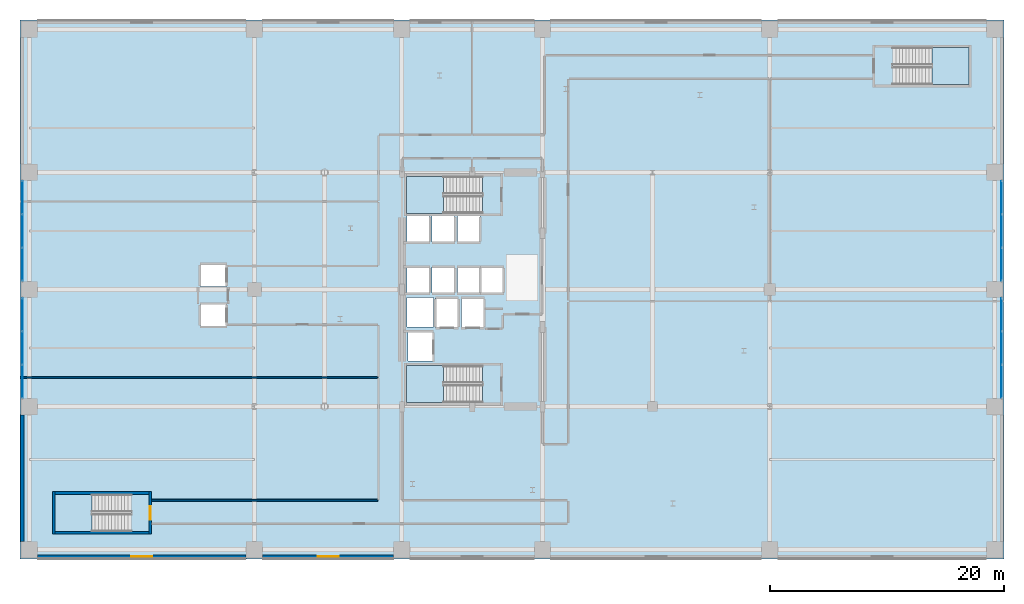
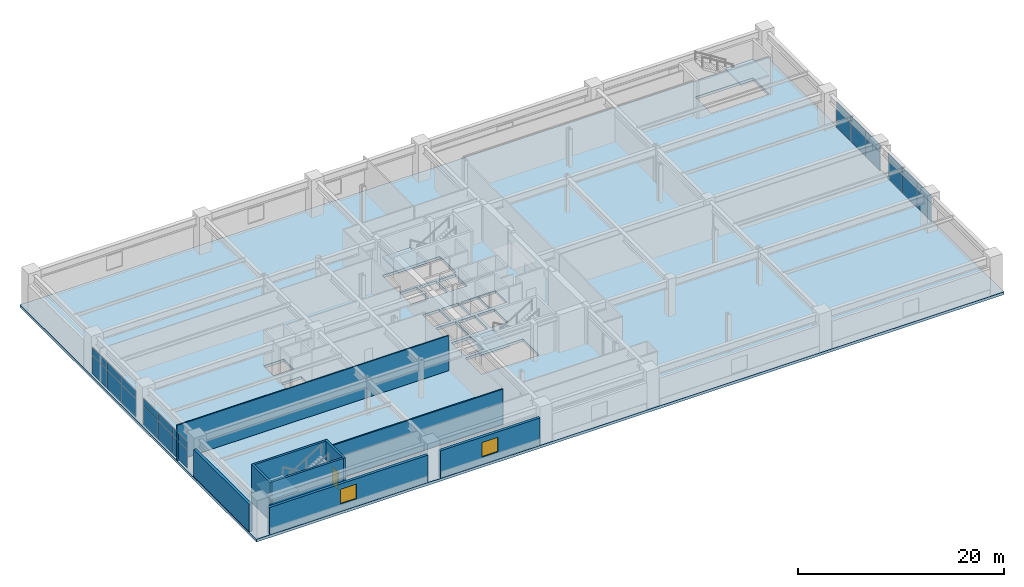
# One storey, part 19 of 28: 24 plates, 9 walls, 5 slabs, 2 windows, 1 door, 3 openings, 8 elements without a shape of their own.
"""IFC4 building model written with IfcOpenShell, lengths in metres."""

from ifc_helpers import new_model, si_unit, direction, frame, frame_2d, origin, origin_2d, place, context, subcontext, project, spatial, polyline, rectangle, outline, extrude, material, layer, layer_set, type_object, element, fill, aggregate, save


model = new_model("IFC4")

# Units and contexts
model_context = context("Model", 3, precision=1e-05, world=origin(), true_north=direction((0.0, 1.0)))
body_context = subcontext(model_context, "Body", "Model", "MODEL_VIEW")
ifc_project = project(units=[si_unit("LENGTHUNIT", "METRE"), si_unit("AREAUNIT", "SQUARE_METRE"), si_unit("VOLUMEUNIT", "CUBIC_METRE"), si_unit("PLANEANGLEUNIT", "RADIAN"), si_unit("MASSUNIT", "GRAM", prefix="KILO")], contexts=[model_context])

# Site, building, storey
site_placement = place(None, origin())
site = spatial("IfcSite", under=ifc_project, at=site_placement, CompositionType="ELEMENT")
building_placement = place(site_placement, origin())
building = spatial("IfcBuilding", under=site, at=building_placement, Name="Soratama Intermodal Tower", CompositionType="ELEMENT")
storey_placement = place(building_placement, frame((0.0, 0.0, 20.699951171875)))
storey = spatial("IfcBuildingStorey", under=building, at=storey_placement, Name="L04", CompositionType="ELEMENT", Elevation=20.699951171875)

# Curtain wall, plates
ifc_material_1 = material(Name="Double-glazed aluminium curtain wall", Category="aluminium")
ifc_layer_1 = layer(ifc_material_1, 0.159912109375)
ifc_layer_set_1 = layer_set([ifc_layer_1], Name="Double-glazed aluminium curtain wall")
curtain_wall_type = type_object("IfcCurtainWallType", Name="CW-SYS-1", PredefinedType="NOTDEFINED", material=ifc_layer_set_1)
curtain_wall_1_placement = place(storey_placement, origin())
curtain_wall_1 = element("IfcCurtainWall", 1, at=curtain_wall_1_placement, inside=storey, type_object=curtain_wall_type, Name="L04 Station Curtain Wall E1", PredefinedType="NOTDEFINED")
ifc_material_2 = material(Name="Low-E laminated double glazing", Category="glass")
ifc_layer_2 = layer(ifc_material_2, 0.035888671875)
ifc_layer_set_2 = layer_set([ifc_layer_2], Name="Low-E laminated double glazing")
plate_type = type_object("IfcPlateType", Name="PT-CWP-1", PredefinedType="CURTAIN_PANEL", material=ifc_layer_set_2)
plate_1_placement = place(storey_placement, frame((83.800048828125, 17.1484375, 0.06005859375), z_axis=(0.0, 0.0, 1.0), x_axis=(0.0, 1.0, 0.0)))
plate_1 = element("IfcPlate", 2, at=plate_1_placement, type_object=plate_type, Name="CW-1 panel 1.1", PredefinedType="CURTAIN_PANEL", context=body_context, shape_type="SweptSolid", body=[
    extrude(rectangle(XDim=2.776611328125, YDim=0.028076171875, at=origin_2d()), origin(), (0.0, 0.0, 1.0), 2.159912109375),
])
plate_2_placement = place(storey_placement, frame((83.800048828125, 17.1484375, 2.280029296875), z_axis=(0.0, 0.0, 1.0), x_axis=(0.0, 1.0, 0.0)))
plate_2 = element("IfcPlate", 3, at=plate_2_placement, type_object=plate_type, Name="CW-1 panel 1.2", PredefinedType="CURTAIN_PANEL", context=body_context, shape_type="SweptSolid", body=[
    extrude(rectangle(XDim=2.776611328125, YDim=0.028076171875, at=origin_2d()), origin(), (0.0, 0.0, 1.0), 0.89599609375),
])
plate_3_placement = place(storey_placement, frame((83.800048828125, 20.0, 0.06005859375), z_axis=(0.0, 0.0, 1.0), x_axis=(0.0, 1.0, 0.0)))
plate_3 = element("IfcPlate", 4, at=plate_3_placement, type_object=plate_type, Name="CW-1 panel 2.1", PredefinedType="CURTAIN_PANEL", context=body_context, shape_type="SweptSolid", body=[
    extrude(rectangle(XDim=2.806640625, YDim=0.028076171875, at=origin_2d()), origin(), (0.0, 0.0, 1.0), 2.159912109375),
])
plate_4_placement = place(storey_placement, frame((83.800048828125, 20.0, 2.280029296875), z_axis=(0.0, 0.0, 1.0), x_axis=(0.0, 1.0, 0.0)))
plate_4 = element("IfcPlate", 5, at=plate_4_placement, type_object=plate_type, Name="CW-1 panel 2.2", PredefinedType="CURTAIN_PANEL", context=body_context, shape_type="SweptSolid", body=[
    extrude(rectangle(XDim=2.806640625, YDim=0.028076171875, at=origin_2d()), origin(), (0.0, 0.0, 1.0), 0.89599609375),
])
plate_5_placement = place(storey_placement, frame((83.800048828125, 22.8515625, 0.06005859375), z_axis=(0.0, 0.0, 1.0), x_axis=(0.0, 1.0, 0.0)))
plate_5 = element("IfcPlate", 6, at=plate_5_placement, type_object=plate_type, Name="CW-1 panel 3.1", PredefinedType="CURTAIN_PANEL", context=body_context, shape_type="SweptSolid", body=[
    extrude(rectangle(XDim=2.776611328125, YDim=0.028076171875, at=origin_2d()), origin(), (0.0, 0.0, 1.0), 2.159912109375),
])
plate_6_placement = place(storey_placement, frame((83.800048828125, 22.8515625, 2.280029296875), z_axis=(0.0, 0.0, 1.0), x_axis=(0.0, 1.0, 0.0)))
plate_6 = element("IfcPlate", 7, at=plate_6_placement, type_object=plate_type, Name="CW-1 panel 3.2", PredefinedType="CURTAIN_PANEL", context=body_context, shape_type="SweptSolid", body=[
    extrude(rectangle(XDim=2.776611328125, YDim=0.028076171875, at=origin_2d()), origin(), (0.0, 0.0, 1.0), 0.89599609375),
])
aggregate(curtain_wall_1, [plate_1, plate_2, plate_3, plate_4, plate_5, plate_6])

curtain_wall_2_placement = place(storey_placement, origin())
curtain_wall_2 = element("IfcCurtainWall", 8, at=curtain_wall_2_placement, inside=storey, type_object=curtain_wall_type, Name="L04 Station Curtain Wall E2", PredefinedType="NOTDEFINED")
plate_7_placement = place(storey_placement, frame((83.800048828125, 27.1484375, 0.06005859375), z_axis=(0.0, 0.0, 1.0), x_axis=(0.0, 1.0, 0.0)))
plate_7 = element("IfcPlate", 9, at=plate_7_placement, type_object=plate_type, Name="CW-1 panel 1.1", PredefinedType="CURTAIN_PANEL", context=body_context, shape_type="SweptSolid", body=[
    extrude(rectangle(XDim=2.776611328125, YDim=0.028076171875, at=origin_2d()), origin(), (0.0, 0.0, 1.0), 2.159912109375),
])
plate_8_placement = place(storey_placement, frame((83.800048828125, 27.1484375, 2.280029296875), z_axis=(0.0, 0.0, 1.0), x_axis=(0.0, 1.0, 0.0)))
plate_8 = element("IfcPlate", 10, at=plate_8_placement, type_object=plate_type, Name="CW-1 panel 1.2", PredefinedType="CURTAIN_PANEL", context=body_context, shape_type="SweptSolid", body=[
    extrude(rectangle(XDim=2.776611328125, YDim=0.028076171875, at=origin_2d()), origin(), (0.0, 0.0, 1.0), 0.89599609375),
])
plate_9_placement = place(storey_placement, frame((83.800048828125, 30.0, 0.06005859375), z_axis=(0.0, 0.0, 1.0), x_axis=(0.0, 1.0, 0.0)))
plate_9 = element("IfcPlate", 11, at=plate_9_placement, type_object=plate_type, Name="CW-1 panel 2.1", PredefinedType="CURTAIN_PANEL", context=body_context, shape_type="SweptSolid", body=[
    extrude(rectangle(XDim=2.806640625, YDim=0.028076171875, at=origin_2d()), origin(), (0.0, 0.0, 1.0), 2.159912109375),
])
plate_10_placement = place(storey_placement, frame((83.800048828125, 30.0, 2.280029296875), z_axis=(0.0, 0.0, 1.0), x_axis=(0.0, 1.0, 0.0)))
plate_10 = element("IfcPlate", 12, at=plate_10_placement, type_object=plate_type, Name="CW-1 panel 2.2", PredefinedType="CURTAIN_PANEL", context=body_context, shape_type="SweptSolid", body=[
    extrude(rectangle(XDim=2.806640625, YDim=0.028076171875, at=origin_2d()), origin(), (0.0, 0.0, 1.0), 0.89599609375),
])
plate_11_placement = place(storey_placement, frame((83.800048828125, 32.8515625, 0.06005859375), z_axis=(0.0, 0.0, 1.0), x_axis=(0.0, 1.0, 0.0)))
plate_11 = element("IfcPlate", 13, at=plate_11_placement, type_object=plate_type, Name="CW-1 panel 3.1", PredefinedType="CURTAIN_PANEL", context=body_context, shape_type="SweptSolid", body=[
    extrude(rectangle(XDim=2.776611328125, YDim=0.028076171875, at=origin_2d()), origin(), (0.0, 0.0, 1.0), 2.159912109375),
])
plate_12_placement = place(storey_placement, frame((83.800048828125, 32.8515625, 2.280029296875), z_axis=(0.0, 0.0, 1.0), x_axis=(0.0, 1.0, 0.0)))
plate_12 = element("IfcPlate", 14, at=plate_12_placement, type_object=plate_type, Name="CW-1 panel 3.2", PredefinedType="CURTAIN_PANEL", context=body_context, shape_type="SweptSolid", body=[
    extrude(rectangle(XDim=2.776611328125, YDim=0.028076171875, at=origin_2d()), origin(), (0.0, 0.0, 1.0), 0.89599609375),
])
aggregate(curtain_wall_2, [plate_7, plate_8, plate_9, plate_10, plate_11, plate_12])

curtain_wall_3_placement = place(storey_placement, origin())
curtain_wall_3 = element("IfcCurtainWall", 15, at=curtain_wall_3_placement, inside=storey, type_object=curtain_wall_type, Name="L04 Station Curtain Wall W1", PredefinedType="NOTDEFINED")
plate_13_placement = place(storey_placement, frame((0.199951171875, 17.1484375, 0.06005859375), z_axis=(0.0, 0.0, 1.0), x_axis=(0.0, 1.0, 0.0)))
plate_13 = element("IfcPlate", 16, at=plate_13_placement, type_object=plate_type, Name="CW-1 panel 1.1", PredefinedType="CURTAIN_PANEL", context=body_context, shape_type="SweptSolid", body=[
    extrude(rectangle(XDim=2.776611328125, YDim=0.028076171875, at=origin_2d()), origin(), (0.0, 0.0, 1.0), 2.159912109375),
])
plate_14_placement = place(storey_placement, frame((0.199951171875, 17.1484375, 2.280029296875), z_axis=(0.0, 0.0, 1.0), x_axis=(0.0, 1.0, 0.0)))
plate_14 = element("IfcPlate", 17, at=plate_14_placement, type_object=plate_type, Name="CW-1 panel 1.2", PredefinedType="CURTAIN_PANEL", context=body_context, shape_type="SweptSolid", body=[
    extrude(rectangle(XDim=2.776611328125, YDim=0.028076171875, at=origin_2d()), origin(), (0.0, 0.0, 1.0), 0.89599609375),
])
plate_15_placement = place(storey_placement, frame((0.199951171875, 20.0, 0.06005859375), z_axis=(0.0, 0.0, 1.0), x_axis=(0.0, 1.0, 0.0)))
plate_15 = element("IfcPlate", 18, at=plate_15_placement, type_object=plate_type, Name="CW-1 panel 2.1", PredefinedType="CURTAIN_PANEL", context=body_context, shape_type="SweptSolid", body=[
    extrude(rectangle(XDim=2.806640625, YDim=0.028076171875, at=origin_2d()), origin(), (0.0, 0.0, 1.0), 2.159912109375),
])
plate_16_placement = place(storey_placement, frame((0.199951171875, 20.0, 2.280029296875), z_axis=(0.0, 0.0, 1.0), x_axis=(0.0, 1.0, 0.0)))
plate_16 = element("IfcPlate", 19, at=plate_16_placement, type_object=plate_type, Name="CW-1 panel 2.2", PredefinedType="CURTAIN_PANEL", context=body_context, shape_type="SweptSolid", body=[
    extrude(rectangle(XDim=2.806640625, YDim=0.028076171875, at=origin_2d()), origin(), (0.0, 0.0, 1.0), 0.89599609375),
])
plate_17_placement = place(storey_placement, frame((0.199951171875, 22.8515625, 0.06005859375), z_axis=(0.0, 0.0, 1.0), x_axis=(0.0, 1.0, 0.0)))
plate_17 = element("IfcPlate", 20, at=plate_17_placement, type_object=plate_type, Name="CW-1 panel 3.1", PredefinedType="CURTAIN_PANEL", context=body_context, shape_type="SweptSolid", body=[
    extrude(rectangle(XDim=2.776611328125, YDim=0.028076171875, at=origin_2d()), origin(), (0.0, 0.0, 1.0), 2.159912109375),
])
plate_18_placement = place(storey_placement, frame((0.199951171875, 22.8515625, 2.280029296875), z_axis=(0.0, 0.0, 1.0), x_axis=(0.0, 1.0, 0.0)))
plate_18 = element("IfcPlate", 21, at=plate_18_placement, type_object=plate_type, Name="CW-1 panel 3.2", PredefinedType="CURTAIN_PANEL", context=body_context, shape_type="SweptSolid", body=[
    extrude(rectangle(XDim=2.776611328125, YDim=0.028076171875, at=origin_2d()), origin(), (0.0, 0.0, 1.0), 0.89599609375),
])
aggregate(curtain_wall_3, [plate_13, plate_14, plate_15, plate_16, plate_17, plate_18])

curtain_wall_4_placement = place(storey_placement, origin())
curtain_wall_4 = element("IfcCurtainWall", 22, at=curtain_wall_4_placement, inside=storey, type_object=curtain_wall_type, Name="L04 Station Curtain Wall W2", PredefinedType="NOTDEFINED")
plate_19_placement = place(storey_placement, frame((0.199951171875, 27.1484375, 0.06005859375), z_axis=(0.0, 0.0, 1.0), x_axis=(0.0, 1.0, 0.0)))
plate_19 = element("IfcPlate", 23, at=plate_19_placement, type_object=plate_type, Name="CW-1 panel 1.1", PredefinedType="CURTAIN_PANEL", context=body_context, shape_type="SweptSolid", body=[
    extrude(rectangle(XDim=2.776611328125, YDim=0.028076171875, at=origin_2d()), origin(), (0.0, 0.0, 1.0), 2.159912109375),
])
plate_20_placement = place(storey_placement, frame((0.199951171875, 27.1484375, 2.280029296875), z_axis=(0.0, 0.0, 1.0), x_axis=(0.0, 1.0, 0.0)))
plate_20 = element("IfcPlate", 24, at=plate_20_placement, type_object=plate_type, Name="CW-1 panel 1.2", PredefinedType="CURTAIN_PANEL", context=body_context, shape_type="SweptSolid", body=[
    extrude(rectangle(XDim=2.776611328125, YDim=0.028076171875, at=origin_2d()), origin(), (0.0, 0.0, 1.0), 0.89599609375),
])
plate_21_placement = place(storey_placement, frame((0.199951171875, 30.0, 0.06005859375), z_axis=(0.0, 0.0, 1.0), x_axis=(0.0, 1.0, 0.0)))
plate_21 = element("IfcPlate", 25, at=plate_21_placement, type_object=plate_type, Name="CW-1 panel 2.1", PredefinedType="CURTAIN_PANEL", context=body_context, shape_type="SweptSolid", body=[
    extrude(rectangle(XDim=2.806640625, YDim=0.028076171875, at=origin_2d()), origin(), (0.0, 0.0, 1.0), 2.159912109375),
])
plate_22_placement = place(storey_placement, frame((0.199951171875, 30.0, 2.280029296875), z_axis=(0.0, 0.0, 1.0), x_axis=(0.0, 1.0, 0.0)))
plate_22 = element("IfcPlate", 26, at=plate_22_placement, type_object=plate_type, Name="CW-1 panel 2.2", PredefinedType="CURTAIN_PANEL", context=body_context, shape_type="SweptSolid", body=[
    extrude(rectangle(XDim=2.806640625, YDim=0.028076171875, at=origin_2d()), origin(), (0.0, 0.0, 1.0), 0.89599609375),
])
plate_23_placement = place(storey_placement, frame((0.199951171875, 32.8515625, 0.06005859375), z_axis=(0.0, 0.0, 1.0), x_axis=(0.0, 1.0, 0.0)))
plate_23 = element("IfcPlate", 27, at=plate_23_placement, type_object=plate_type, Name="CW-1 panel 3.1", PredefinedType="CURTAIN_PANEL", context=body_context, shape_type="SweptSolid", body=[
    extrude(rectangle(XDim=2.776611328125, YDim=0.028076171875, at=origin_2d()), origin(), (0.0, 0.0, 1.0), 2.159912109375),
])
plate_24_placement = place(storey_placement, frame((0.199951171875, 32.8515625, 2.280029296875), z_axis=(0.0, 0.0, 1.0), x_axis=(0.0, 1.0, 0.0)))
plate_24 = element("IfcPlate", 28, at=plate_24_placement, type_object=plate_type, Name="CW-1 panel 3.2", PredefinedType="CURTAIN_PANEL", context=body_context, shape_type="SweptSolid", body=[
    extrude(rectangle(XDim=2.776611328125, YDim=0.028076171875, at=origin_2d()), origin(), (0.0, 0.0, 1.0), 0.89599609375),
])
aggregate(curtain_wall_4, [plate_19, plate_20, plate_21, plate_22, plate_23, plate_24])

# Slab
ifc_material_3 = material(Name="Concrete f'c 42 MPa", Category="concrete")
ifc_layer_3 = layer(ifc_material_3, 0.320068359375)
ifc_layer_set_3 = layer_set([ifc_layer_3], Name="Concrete f'c 42 MPa")
slab_type_1 = type_object("IfcSlabType", Name="SL-POD-320", PredefinedType="FLOOR", material=ifc_layer_set_3)
slab_1_placement = place(storey_placement, frame((0.0, 0.0, -0.320068359375)))
element("IfcSlab", 29, at=slab_1_placement, inside=storey, type_object=slab_type_1, Name="L04 Structural Floor Slab", PredefinedType="FLOOR", context=body_context, shape_type="SweptSolid", body=[
    extrude(outline(polyline([(0.0, 2.0), (84.0, 2.0), (84.0, 48.0), (0.0, 48.0), (0.0, 2.0)]), holes=[polyline([(9.47509765625, 7.5), (3.0, 7.5), (3.0, 4.35009765625), (9.47509765625, 4.35009765625), (9.47509765625, 7.5)]), polyline([(35.260009765625, 18.889892578125), (35.260009765625, 21.409912109375), (33.139892578125, 21.409912109375), (33.139892578125, 18.889892578125), (35.260009765625, 18.889892578125)]), polyline([(17.610107421875, 21.840087890625), (17.610107421875, 23.760009765625), (15.389892578125, 23.760009765625), (15.389892578125, 21.840087890625), (17.610107421875, 21.840087890625)]), polyline([(33.050048828125, 21.800048828125), (35.280029296875, 21.800048828125), (35.280029296875, 24.320068359375), (33.050048828125, 24.320068359375), (33.050048828125, 21.800048828125)]), polyline([(34.9599609375, 24.68994140625), (34.9599609375, 26.909912109375), (33.0400390625, 26.909912109375), (33.0400390625, 24.68994140625), (34.9599609375, 24.68994140625)]), polyline([(37.110107421875, 24.68994140625), (37.110107421875, 26.909912109375), (35.18994140625, 26.909912109375), (35.18994140625, 24.68994140625), (37.110107421875, 24.68994140625)]), polyline([(17.610107421875, 25.239990234375), (17.610107421875, 27.159912109375), (15.389892578125, 27.159912109375), (15.389892578125, 25.239990234375), (17.610107421875, 25.239990234375)]), polyline([(34.9599609375, 29.0400390625), (34.9599609375, 31.260009765625), (33.0400390625, 31.260009765625), (33.0400390625, 29.0400390625), (34.9599609375, 29.0400390625)]), polyline([(37.110107421875, 29.0400390625), (37.110107421875, 31.260009765625), (35.18994140625, 31.260009765625), (35.18994140625, 29.0400390625), (37.110107421875, 29.0400390625)]), polyline([(39.47509765625, 18.5), (33.0, 18.5), (33.0, 15.35009765625), (39.47509765625, 15.35009765625), (39.47509765625, 18.5)]), polyline([(37.409912109375, 21.739990234375), (37.409912109375, 24.260009765625), (35.489990234375, 24.260009765625), (35.489990234375, 21.739990234375), (37.409912109375, 21.739990234375)]), polyline([(39.610107421875, 21.739990234375), (39.610107421875, 24.260009765625), (37.68994140625, 24.260009765625), (37.68994140625, 21.739990234375), (39.610107421875, 21.739990234375)]), polyline([(39.260009765625, 24.68994140625), (39.260009765625, 26.909912109375), (37.340087890625, 26.909912109375), (37.340087890625, 24.68994140625), (39.260009765625, 24.68994140625)]), polyline([(41.260009765625, 24.68994140625), (41.260009765625, 26.909912109375), (39.340087890625, 26.909912109375), (39.340087890625, 24.68994140625), (41.260009765625, 24.68994140625)]), polyline([(39.260009765625, 29.0400390625), (39.260009765625, 31.260009765625), (37.340087890625, 31.260009765625), (37.340087890625, 29.0400390625), (39.260009765625, 29.0400390625)]), polyline([(39.47509765625, 31.5), (39.47509765625, 34.64990234375), (33.0, 34.64990234375), (33.0, 31.5), (39.47509765625, 31.5)]), polyline([(74.52490234375, 45.64990234375), (74.52490234375, 42.5), (81.0, 42.5), (81.0, 45.64990234375), (74.52490234375, 45.64990234375)])]), origin(), (0.0, 0.0, 1.0), 0.320068359375),
])

# Stair, slab
ifc_material_4 = material(Name="Concrete f'c 42 MPa", Category="concrete")
stair_type = type_object("IfcStairType", Name="ST-CORE-DOGLEG", PredefinedType="HALF_TURN_STAIR", material=ifc_material_4)
stair_1_placement = place(storey_placement, origin())
stair_1 = element("IfcStair", 30, at=stair_1_placement, inside=storey, type_object=stair_type, Name="L04 ST-1", PredefinedType="HALF_TURN_STAIR")
ifc_material_5 = material(Name="Concrete f'c 42 MPa", Category="concrete")
ifc_layer_4 = layer(ifc_material_5, 0.219970703125)
ifc_layer_set_4 = layer_set([ifc_layer_4], Name="Concrete f'c 42 MPa")
slab_type_2 = type_object("IfcSlabType", Name="SL-STAIR-LAND", PredefinedType="LANDING", material=ifc_layer_set_4)
slab_2_placement = place(storey_placement, frame((0.0, 0.0, 2.050048828125)))
slab_2 = element("IfcSlab", 31, at=slab_2_placement, type_object=slab_type_2, Name="ST-1 landing 1", PredefinedType="LANDING", context=body_context, shape_type="SweptSolid", body=[
    extrude(outline(polyline([(36.139892578125, 18.5), (33.0, 18.5), (33.0, 15.35009765625), (36.139892578125, 15.35009765625), (36.139892578125, 18.5)])), origin(), (0.0, 0.0, 1.0), 0.199951171875),
])
aggregate(stair_1, [slab_2])

stair_2_placement = place(storey_placement, origin())
stair_2 = element("IfcStair", 32, at=stair_2_placement, inside=storey, type_object=stair_type, Name="L04 ST-2", PredefinedType="HALF_TURN_STAIR")
slab_3_placement = place(storey_placement, frame((0.0, 0.0, 2.050048828125)))
slab_3 = element("IfcSlab", 33, at=slab_3_placement, type_object=slab_type_2, Name="ST-2 landing 1", PredefinedType="LANDING", context=body_context, shape_type="SweptSolid", body=[
    extrude(outline(polyline([(36.139892578125, 34.64990234375), (33.0, 34.64990234375), (33.0, 31.5), (36.139892578125, 31.5), (36.139892578125, 34.64990234375)])), origin(), (0.0, 0.0, 1.0), 0.199951171875),
])
aggregate(stair_2, [slab_3])

stair_3_placement = place(storey_placement, origin())
stair_3 = element("IfcStair", 34, at=stair_3_placement, inside=storey, type_object=stair_type, Name="L04 ST-3", PredefinedType="HALF_TURN_STAIR")
slab_4_placement = place(storey_placement, frame((0.0, 0.0, 2.050048828125)))
slab_4 = element("IfcSlab", 35, at=slab_4_placement, type_object=slab_type_2, Name="ST-3 landing 1", PredefinedType="LANDING", context=body_context, shape_type="SweptSolid", body=[
    extrude(outline(polyline([(6.139892578125, 7.5), (3.0, 7.5), (3.0, 4.35009765625), (6.139892578125, 4.35009765625), (6.139892578125, 7.5)])), origin(), (0.0, 0.0, 1.0), 0.199951171875),
])
aggregate(stair_3, [slab_4])

stair_4_placement = place(storey_placement, origin())
stair_4 = element("IfcStair", 36, at=stair_4_placement, inside=storey, type_object=stair_type, Name="L04 ST-4", PredefinedType="HALF_TURN_STAIR")
slab_5_placement = place(storey_placement, frame((0.0, 0.0, 2.050048828125)))
slab_5 = element("IfcSlab", 37, at=slab_5_placement, type_object=slab_type_2, Name="ST-4 landing 1", PredefinedType="LANDING", context=body_context, shape_type="SweptSolid", body=[
    extrude(outline(polyline([(77.860107421875, 42.5), (81.0, 42.5), (81.0, 45.64990234375), (77.860107421875, 45.64990234375), (77.860107421875, 42.5)])), origin(), (0.0, 0.0, 1.0), 0.199951171875),
])
aggregate(stair_4, [slab_5])

# Wall, opening, window
ifc_material_6 = material(Name="Concrete f'c 42 MPa", Category="concrete")
ifc_layer_5 = layer(ifc_material_6, 0.300048828125)
ifc_layer_set_5 = layer_set([ifc_layer_5], Name="Concrete f'c 42 MPa")
wall_type_1 = type_object("IfcWallType", Name="EW-STONE-300", PredefinedType="SOLIDWALL", material=ifc_layer_set_5)
wall_1_placement = place(storey_placement, frame((19.300048828125, 2.199951171875, 0.0), z_axis=(0.0, 0.0, 1.0), x_axis=(-1.0, 0.0, 0.0)))
wall_1 = element("IfcWall", 38, at=wall_1_placement, inside=storey, type_object=wall_type_1, Name="L04 S Limestone Wall B1", PredefinedType="SOLIDWALL", context=body_context, shape_type="SweptSolid", body=[
    extrude(rectangle(XDim=17.800048828125, YDim=0.300048828125, at=frame_2d((8.89990234375, 0.0))), origin(), (0.0, 0.0, 1.0), 3.236083984375),
])
opening_1_placement = place(wall_1_placement, frame((8.0, 0.0, 0.85009765625)))
opening_1 = element("IfcOpeningElement", 39, at=opening_1_placement, cuts=wall_1, Name="Opening WN-3", PredefinedType="OPENING", context=body_context, shape_type="SweptSolid", body=[
    extrude(rectangle(XDim=1.800048828125, YDim=1.75, at=frame_2d((0.89990234375, 0.875))), frame((0.0, 0.159912109375, 0.0), z_axis=(0.0, -1.0, 0.0), x_axis=(1.0, 0.0, 0.0)), (0.0, 0.0, 1.0), 0.320068359375),
])
ifc_material_7 = material(Name="Double-glazed aluminium window", Category="aluminium")
window_type = type_object("IfcWindowType", Name="WN-POD-1800", PartitioningType="SINGLE_PANEL", PredefinedType="WINDOW", material=ifc_material_7)
window_1_placement = place(opening_1_placement, origin())
window_1 = element("IfcWindow", 40, at=window_1_placement, inside=storey, type_object=window_type, Name="L04 S Window B1", OverallHeight=1.75, OverallWidth=1.800048828125, PartitioningType="SINGLE_PANEL", PredefinedType="WINDOW", context=body_context, shape_type="SweptSolid", body=[
    extrude(rectangle(XDim=1.800048828125, YDim=1.75, at=frame_2d((0.89990234375, 0.875))), frame((0.0, 0.030029296875, 0.0), z_axis=(0.0, -1.0, 0.0), x_axis=(1.0, 0.0, 0.0)), (0.0, 0.0, 1.0), 0.06005859375),
])
fill(opening_1, window_1)

wall_2_placement = place(storey_placement, frame((31.89990234375, 2.199951171875, 0.0), z_axis=(0.0, 0.0, 1.0), x_axis=(-1.0, 0.0, 0.0)))
wall_2 = element("IfcWall", 41, at=wall_2_placement, inside=storey, type_object=wall_type_1, Name="L04 S Limestone Wall B2", PredefinedType="SOLIDWALL", context=body_context, shape_type="SweptSolid", body=[
    extrude(rectangle(XDim=11.199951171875, YDim=0.300048828125, at=frame_2d((5.60009765625, 0.0))), origin(), (0.0, 0.0, 1.0), 3.236083984375),
])
opening_2_placement = place(wall_2_placement, frame((4.699951171875, 0.0, 0.85009765625)))
opening_2 = element("IfcOpeningElement", 42, at=opening_2_placement, cuts=wall_2, Name="Opening WN-3", PredefinedType="OPENING", context=body_context, shape_type="SweptSolid", body=[
    extrude(rectangle(XDim=1.800048828125, YDim=1.75, at=frame_2d((0.89990234375, 0.875))), frame((0.0, 0.159912109375, 0.0), z_axis=(0.0, -1.0, 0.0), x_axis=(1.0, 0.0, 0.0)), (0.0, 0.0, 1.0), 0.320068359375),
])
window_2_placement = place(opening_2_placement, origin())
window_2 = element("IfcWindow", 43, at=window_2_placement, inside=storey, type_object=window_type, Name="L04 S Window B2", OverallHeight=1.75, OverallWidth=1.800048828125, PartitioningType="SINGLE_PANEL", PredefinedType="WINDOW", context=body_context, shape_type="SweptSolid", body=[
    extrude(rectangle(XDim=1.800048828125, YDim=1.75, at=frame_2d((0.89990234375, 0.875))), frame((0.0, 0.030029296875, 0.0), z_axis=(0.0, -1.0, 0.0), x_axis=(1.0, 0.0, 0.0)), (0.0, 0.0, 1.0), 0.06005859375),
])
fill(opening_2, window_2)

# Walls
wall_3_placement = place(storey_placement, frame((0.199951171875, 3.5, 0.0), z_axis=(0.0, 0.0, 1.0), x_axis=(0.0, 1.0, 0.0)))
element("IfcWall", 44, at=wall_3_placement, inside=storey, type_object=wall_type_1, Name="L04 Perimeter Wall WS", PredefinedType="SOLIDWALL", context=body_context, shape_type="SweptSolid", body=[
    extrude(rectangle(XDim=10.800048828125, YDim=0.300048828125, at=frame_2d((5.39990234375, 0.0))), origin(), (0.0, 0.0, 1.0), 3.236083984375),
])
ifc_material_8 = material(Name="Fire-rated gypsum stud partition", Category="concrete")
ifc_layer_6 = layer(ifc_material_8, 0.14990234375)
ifc_layer_set_6 = layer_set([ifc_layer_6], Name="Fire-rated gypsum stud partition")
wall_type_2 = type_object("IfcWallType", Name="IW-PART-R150", PredefinedType="PARTITIONING", material=ifc_layer_set_6)
wall_4_placement = place(storey_placement, frame((11.1201171875, 7.0, 0.0), z_axis=(0.0, 0.0, 1.0), x_axis=(1.0, 0.0, 0.0)))
element("IfcWall", 45, at=wall_4_placement, inside=storey, type_object=wall_type_2, Name="L04 Partition W-L04-TP006", PredefinedType="PARTITIONING", context=body_context, shape_type="SweptSolid", body=[
    extrude(rectangle(XDim=19.409912109375, YDim=0.14990234375, at=frame_2d((9.705078125, 0.0))), origin(), (0.0, 0.0, 1.0), 4.179931640625),
])
ifc_material_9 = material(Name="Fire-rated gypsum stud partition", Category="concrete")
ifc_layer_7 = layer(ifc_material_9, 0.1298828125)
ifc_layer_set_7 = layer_set([ifc_layer_7], Name="Fire-rated gypsum stud partition")
wall_type_3 = type_object("IfcWallType", Name="IW-PART-S130", PredefinedType="PARTITIONING", material=ifc_layer_set_7)
wall_5_placement = place(storey_placement, frame((0.0, 17.5, 0.0), z_axis=(0.0, 0.0, 1.0), x_axis=(1.0, 0.0, 0.0)))
element("IfcWall", 46, at=wall_5_placement, inside=storey, type_object=wall_type_3, Name="L04 Partition W-L04-TP002", PredefinedType="PARTITIONING", context=body_context, shape_type="SweptSolid", body=[
    extrude(rectangle(XDim=30.530029296875, YDim=0.1298828125, at=frame_2d((15.26513671875, 0.0))), origin(), (0.0, 0.0, 1.0), 4.179931640625),
])
ifc_material_10 = material(Name="Concrete f'c 56 MPa", Category="concrete")
ifc_layer_8 = layer(ifc_material_10, 0.239990234375)
ifc_layer_set_8 = layer_set([ifc_layer_8], Name="Concrete f'c 56 MPa")
wall_type_4 = type_object("IfcWallType", Name="SW-STAIR-240", PredefinedType="SHEAR", material=ifc_layer_set_8)
wall_6_placement = place(storey_placement, frame((2.8798828125, 4.110107421875, 0.0), z_axis=(0.0, 0.0, 1.0), x_axis=(0.0, 1.0, 0.0)))
element("IfcWall", 47, at=wall_6_placement, inside=storey, type_object=wall_type_4, Name="L04 ST-3 Shaft Shear Wall W", PredefinedType="SHEAR", context=body_context, shape_type="SweptSolid", body=[
    extrude(rectangle(XDim=3.6298828125, YDim=0.239990234375, at=frame_2d((1.81494140625, 0.0))), origin(), (0.0, 0.0, 1.0), 4.5),
])

# Wall, opening, door
wall_7_placement = place(storey_placement, frame((11.1201171875, 4.110107421875, 0.0), z_axis=(0.0, 0.0, 1.0), x_axis=(0.0, 1.0, 0.0)))
wall_7 = element("IfcWall", 48, at=wall_7_placement, inside=storey, type_object=wall_type_4, Name="L04 ST-3 Shaft Shear Wall E", PredefinedType="SHEAR", context=body_context, shape_type="SweptSolid", body=[
    extrude(rectangle(XDim=3.6298828125, YDim=0.239990234375, at=frame_2d((1.81494140625, 0.0))), origin(), (0.0, 0.0, 1.0), 4.5),
])
opening_3_placement = place(wall_7_placement, frame((1.2548828125, 0.0, 0.0)))
opening_3 = element("IfcOpeningElement", 49, at=opening_3_placement, cuts=wall_7, Name="Opening SD-1", PredefinedType="OPENING", context=body_context, shape_type="SweptSolid", body=[
    extrude(rectangle(XDim=1.1201171875, YDim=2.14990234375, at=frame_2d((0.56005859375, 1.074951171875))), frame((0.0, 0.1298828125, 0.0), z_axis=(0.0, -1.0, 0.0), x_axis=(1.0, 0.0, 0.0)), (0.0, 0.0, 1.0), 0.260009765625),
])
ifc_material_11 = material(Name="Steel fire door", Category="steel")
door_type = type_object("IfcDoorType", Name="DR-STAIR-FD90", OperationType="NOTDEFINED", PredefinedType="DOOR", material=ifc_material_11)
door_placement = place(opening_3_placement, origin())
door = element("IfcDoor", 50, at=door_placement, inside=storey, type_object=door_type, Name="L04 ST-3 Exit Stair Door", OperationType="SINGLE_SWING_LEFT", OverallHeight=2.14990234375, OverallWidth=1.1201171875, PredefinedType="DOOR", context=body_context, shape_type="SweptSolid", body=[
    extrude(rectangle(XDim=1.1201171875, YDim=2.14990234375, at=frame_2d((0.56005859375, 1.074951171875))), frame((0.0, 0.02490234375, 0.0), z_axis=(0.0, -1.0, 0.0), x_axis=(1.0, 0.0, 0.0)), (0.0, 0.0, 1.0), 0.050048828125),
])
fill(opening_3, door)

# Walls
for number, where, z_axis, x_axis, name in (
    (51, (3.0, 4.22998046875, 0.0), (0.0, 0.0, 1.0), (1.0, 0.0, 0.0), "L04 ST-3 Shaft Shear Wall S"),
    (52, (3.0, 7.6201171875, 0.0), (0.0, 0.0, 1.0), (1.0, 0.0, 0.0), "L04 ST-3 Shaft Shear Wall N"),
):
    element("IfcWall", number, at=place(storey_placement, frame(where, z_axis=z_axis, x_axis=x_axis)), inside=storey, type_object=wall_type_4, Name=name, PredefinedType="SHEAR", context=body_context, shape_type="SweptSolid", body=[
        extrude(rectangle(XDim=8.0, YDim=0.239990234375, at=frame_2d((4.0, 0.0))), origin(), (0.0, 0.0, 1.0), 4.5),
    ])

save(model, "model.ifc")
